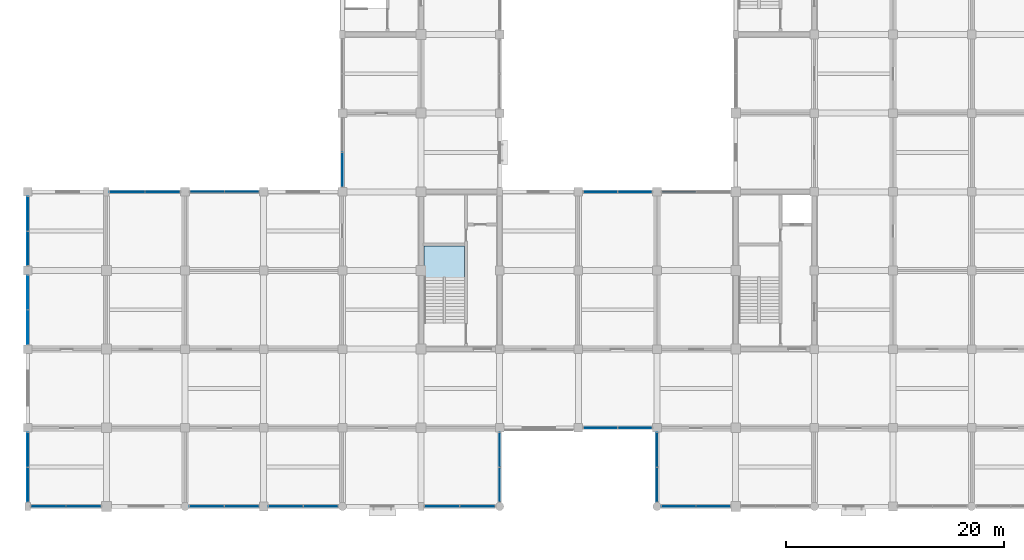
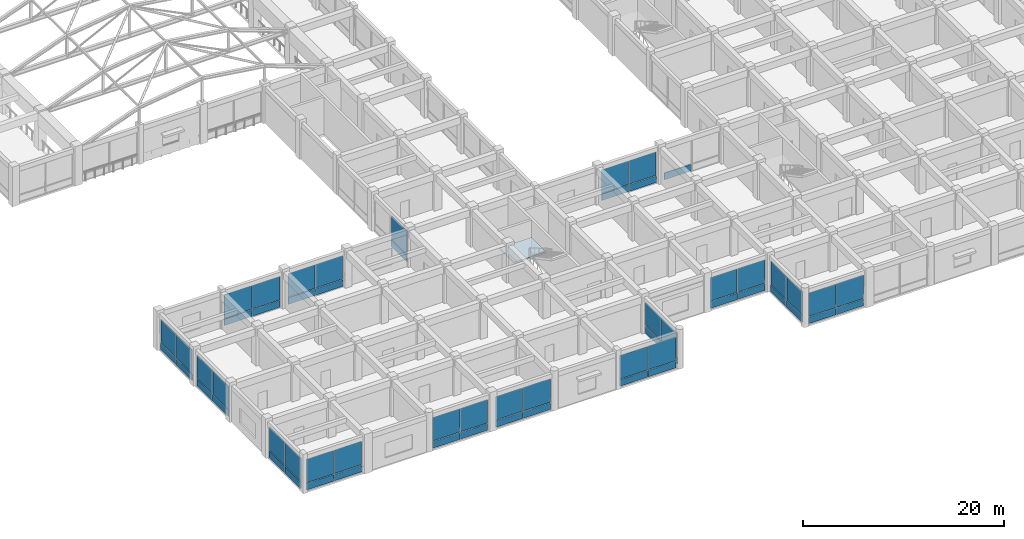
# One storey, part 47 of 75: 59 plates, 1 slab, 17 elements without a shape of their own.
"""IFC4 building model written with IfcOpenShell, lengths in metres."""

from ifc_helpers import new_model, si_unit, direction, frame, origin, origin_2d, place, context, subcontext, project, spatial, polyline, rectangle, outline, extrude, material, layer, layer_set, type_object, element, aggregate, save


model = new_model("IFC4")

# Units and contexts
model_context = context("Model", 3, precision=1e-05, world=origin(), true_north=direction((0.0, 1.0)))
body_context = subcontext(model_context, "Body", "Model", "MODEL_VIEW")
ifc_project = project(units=[si_unit("LENGTHUNIT", "METRE"), si_unit("AREAUNIT", "SQUARE_METRE"), si_unit("VOLUMEUNIT", "CUBIC_METRE"), si_unit("PLANEANGLEUNIT", "RADIAN"), si_unit("MASSUNIT", "GRAM", prefix="KILO")], contexts=[model_context])

# Site, building, storey
site_placement = place(None, origin())
site = spatial("IfcSite", under=ifc_project, at=site_placement, CompositionType="ELEMENT")
building_placement = place(site_placement, origin())
building = spatial("IfcBuilding", under=site, at=building_placement, Name="Cendaluz Park School", CompositionType="ELEMENT")
storey_placement = place(building_placement, frame((0.0, 0.0, 4.800048828125)))
storey = spatial("IfcBuildingStorey", under=building, at=storey_placement, Name="L01", CompositionType="ELEMENT", Elevation=4.800048828125)

# Curtain wall, plates
ifc_material_1 = material(Name="Anodised Aluminium 6063-T6", Category="aluminium")
ifc_layer_1 = layer(ifc_material_1, 0.179931640625)
ifc_layer_set_1 = layer_set([ifc_layer_1], Name="Anodised Aluminium 6063-T6")
curtain_wall_type_1 = type_object("IfcCurtainWallType", Name="CW-128x77", PredefinedType="NOTDEFINED", material=ifc_layer_set_1)
curtain_wall_1_placement = place(storey_placement, origin())
curtain_wall_1 = element("IfcCurtainWall", 1, at=curtain_wall_1_placement, inside=storey, type_object=curtain_wall_type_1, Name="CW-L01-015", PredefinedType="NOTDEFINED")
ifc_material_2 = material(Name="Tempered Low-E Double Glazing", Category="glass")
ifc_layer_2 = layer(ifc_material_2, 0.028076171875)
ifc_layer_set_2 = layer_set([ifc_layer_2], Name="Tempered Low-E Double Glazing")
plate_type_1 = type_object("IfcPlateType", Name="CWP-G01", PredefinedType="CURTAIN_PANEL", material=ifc_layer_set_2)
plate_1_placement = place(storey_placement, frame((16.398681640625, 0.0, 0.93505859375), z_axis=(0.0, 0.0, 1.0), x_axis=(1.0, 0.0, 0.0)))
plate_1 = element("IfcPlate", 2, at=plate_1_placement, type_object=plate_type_1, Name="CP-L01-0190", PredefinedType="CURTAIN_PANEL", context=body_context, shape_type="SweptSolid", body=[
    extrude(rectangle(XDim=3.107421875, YDim=0.028076171875, at=origin_2d()), origin(), (0.0, 0.0, 1.0), 2.844970703125),
])
plate_2_placement = place(storey_placement, frame((19.576171875, 0.0, 0.93505859375), z_axis=(0.0, 0.0, 1.0), x_axis=(1.0, 0.0, 0.0)))
plate_2 = element("IfcPlate", 3, at=plate_2_placement, type_object=plate_type_1, Name="CP-L01-0195", PredefinedType="CURTAIN_PANEL", context=body_context, shape_type="SweptSolid", body=[
    extrude(rectangle(XDim=3.107421875, YDim=0.028076171875, at=origin_2d()), origin(), (0.0, 0.0, 1.0), 2.844970703125),
])

curtain_wall_2_placement = place(storey_placement, origin())
curtain_wall_2 = element("IfcCurtainWall", 4, at=curtain_wall_2_placement, inside=storey, type_object=curtain_wall_type_1, Name="CW-L01-016", PredefinedType="NOTDEFINED")
plate_3_placement = place(storey_placement, frame((16.41748046875, 28.800048828125, 0.93505859375), z_axis=(0.0, 0.0, 1.0), x_axis=(1.0, 0.0, 0.0)))
plate_3 = element("IfcPlate", 5, at=plate_3_placement, type_object=plate_type_1, Name="CP-L01-0203", PredefinedType="CURTAIN_PANEL", context=body_context, shape_type="SweptSolid", body=[
    extrude(rectangle(XDim=3.094970703125, YDim=0.028076171875, at=origin_2d()), origin(), (0.0, 0.0, 1.0), 2.844970703125),
])
plate_4_placement = place(storey_placement, frame((19.58251953125, 28.800048828125, 0.93505859375), z_axis=(0.0, 0.0, 1.0), x_axis=(1.0, 0.0, 0.0)))
plate_4 = element("IfcPlate", 6, at=plate_4_placement, type_object=plate_type_1, Name="CP-L01-0208", PredefinedType="CURTAIN_PANEL", context=body_context, shape_type="SweptSolid", body=[
    extrude(rectangle(XDim=3.094970703125, YDim=0.028076171875, at=origin_2d()), origin(), (0.0, 0.0, 1.0), 2.844970703125),
])

curtain_wall_3_placement = place(storey_placement, origin())
curtain_wall_3 = element("IfcCurtainWall", 7, at=curtain_wall_3_placement, inside=storey, type_object=curtain_wall_type_1, Name="CW-L01-024", PredefinedType="NOTDEFINED")
plate_5_placement = place(storey_placement, frame((43.199951171875, 1.998779296875, 0.93505859375), z_axis=(0.0, 0.0, 1.0), x_axis=(0.0, 1.0, 0.0)))
plate_5 = element("IfcPlate", 8, at=plate_5_placement, type_object=plate_type_1, Name="CP-L01-0307", PredefinedType="CURTAIN_PANEL", context=body_context, shape_type="SweptSolid", body=[
    extrude(rectangle(XDim=3.107421875, YDim=0.028076171875, at=origin_2d()), origin(), (0.0, 0.0, 1.0), 2.844970703125),
])
plate_6_placement = place(storey_placement, frame((43.199951171875, 5.17626953125, 0.93505859375), z_axis=(0.0, 0.0, 1.0), x_axis=(0.0, 1.0, 0.0)))
plate_6 = element("IfcPlate", 9, at=plate_6_placement, type_object=plate_type_1, Name="CP-L01-0312", PredefinedType="CURTAIN_PANEL", context=body_context, shape_type="SweptSolid", body=[
    extrude(rectangle(XDim=3.107421875, YDim=0.028076171875, at=origin_2d()), origin(), (0.0, 0.0, 1.0), 2.844970703125),
])

curtain_wall_4_placement = place(storey_placement, origin())
curtain_wall_4 = element("IfcCurtainWall", 10, at=curtain_wall_4_placement, inside=storey, type_object=curtain_wall_type_1, Name="CW-L01-018", PredefinedType="NOTDEFINED")
ifc_layer_3 = layer(ifc_material_2, 0.0380859375)
ifc_layer_set_3 = layer_set([ifc_layer_3], Name="Tempered Low-E Double Glazing")
plate_type_2 = type_object("IfcPlateType", Name="CWP-G02", PredefinedType="CURTAIN_PANEL", material=ifc_layer_set_3)
plate_7_placement = place(storey_placement, frame((23.623779296875, 0.0, 0.93505859375), z_axis=(0.0, 0.0, 1.0), x_axis=(1.0, 0.0, 0.0)))
plate_7 = element("IfcPlate", 11, at=plate_7_placement, type_object=plate_type_2, Name="CP-L01-0229", PredefinedType="CURTAIN_PANEL", context=body_context, shape_type="SweptSolid", body=[
    extrude(rectangle(XDim=3.107421875, YDim=0.0380859375, at=origin_2d()), origin(), (0.0, 0.0, 1.0), 2.844970703125),
])
plate_8_placement = place(storey_placement, frame((26.80126953125, 0.0, 0.93505859375), z_axis=(0.0, 0.0, 1.0), x_axis=(1.0, 0.0, 0.0)))
plate_8 = element("IfcPlate", 12, at=plate_8_placement, type_object=plate_type_2, Name="CP-L01-0234", PredefinedType="CURTAIN_PANEL", context=body_context, shape_type="SweptSolid", body=[
    extrude(rectangle(XDim=3.107421875, YDim=0.0380859375, at=origin_2d()), origin(), (0.0, 0.0, 1.0), 2.844970703125),
])

curtain_wall_5_placement = place(storey_placement, origin())
curtain_wall_5 = element("IfcCurtainWall", 13, at=curtain_wall_5_placement, inside=storey, type_object=curtain_wall_type_1, Name="CW-L01-034", PredefinedType="NOTDEFINED")
plate_9_placement = place(storey_placement, frame((52.41748046875, 7.199951171875, 0.93505859375), z_axis=(0.0, 0.0, 1.0), x_axis=(1.0, 0.0, 0.0)))
plate_9 = element("IfcPlate", 14, at=plate_9_placement, type_object=plate_type_2, Name="CP-L01-0437", PredefinedType="CURTAIN_PANEL", context=body_context, shape_type="SweptSolid", body=[
    extrude(rectangle(XDim=3.094970703125, YDim=0.0380859375, at=origin_2d()), origin(), (0.0, 0.0, 1.0), 2.844970703125),
])
plate_10_placement = place(storey_placement, frame((55.58251953125, 7.199951171875, 0.93505859375), z_axis=(0.0, 0.0, 1.0), x_axis=(1.0, 0.0, 0.0)))
plate_10 = element("IfcPlate", 15, at=plate_10_placement, type_object=plate_type_2, Name="CP-L01-0442", PredefinedType="CURTAIN_PANEL", context=body_context, shape_type="SweptSolid", body=[
    extrude(rectangle(XDim=3.094970703125, YDim=0.0380859375, at=origin_2d()), origin(), (0.0, 0.0, 1.0), 2.844970703125),
])

curtain_wall_6_placement = place(storey_placement, origin())
curtain_wall_6 = element("IfcCurtainWall", 16, at=curtain_wall_6_placement, inside=storey, type_object=curtain_wall_type_1, Name="CW-L01-035", PredefinedType="NOTDEFINED")
plate_11_placement = place(storey_placement, frame((52.41748046875, 28.800048828125, 0.93505859375), z_axis=(0.0, 0.0, 1.0), x_axis=(1.0, 0.0, 0.0)))
plate_11 = element("IfcPlate", 17, at=plate_11_placement, type_object=plate_type_2, Name="CP-L01-0450", PredefinedType="CURTAIN_PANEL", context=body_context, shape_type="SweptSolid", body=[
    extrude(rectangle(XDim=3.094970703125, YDim=0.0380859375, at=origin_2d()), origin(), (0.0, 0.0, 1.0), 2.844970703125),
])
plate_12_placement = place(storey_placement, frame((55.58251953125, 28.800048828125, 0.93505859375), z_axis=(0.0, 0.0, 1.0), x_axis=(1.0, 0.0, 0.0)))
plate_12 = element("IfcPlate", 18, at=plate_12_placement, type_object=plate_type_2, Name="CP-L01-0455", PredefinedType="CURTAIN_PANEL", context=body_context, shape_type="SweptSolid", body=[
    extrude(rectangle(XDim=3.094970703125, YDim=0.0380859375, at=origin_2d()), origin(), (0.0, 0.0, 1.0), 2.844970703125),
])

ifc_layer_4 = layer(ifc_material_1, 0.179931640625)
ifc_layer_set_4 = layer_set([ifc_layer_4], Name="Anodised Aluminium 6063-T6")
curtain_wall_type_2 = type_object("IfcCurtainWallType", Name="CW-130x77", PredefinedType="NOTDEFINED", material=ifc_layer_set_4)
curtain_wall_7_placement = place(storey_placement, origin())
curtain_wall_7 = element("IfcCurtainWall", 19, at=curtain_wall_7_placement, inside=storey, type_object=curtain_wall_type_2, Name="CW-L01-001", PredefinedType="NOTDEFINED")
ifc_layer_5 = layer(ifc_material_2, 0.048095703125)
ifc_layer_set_5 = layer_set([ifc_layer_5], Name="Tempered Low-E Double Glazing")
plate_type_3 = type_object("IfcPlateType", Name="CWP-G03", PredefinedType="CURTAIN_PANEL", material=ifc_layer_set_5)
plate_13_placement = place(storey_placement, frame((1.892578125, 0.0, 0.93505859375), z_axis=(0.0, 0.0, 1.0), x_axis=(1.0, 0.0, 0.0)))
plate_13 = element("IfcPlate", 20, at=plate_13_placement, type_object=plate_type_3, Name="CP-L01-0008", PredefinedType="CURTAIN_PANEL", context=body_context, shape_type="SweptSolid", body=[
    extrude(rectangle(XDim=3.14501953125, YDim=0.048095703125, at=origin_2d()), origin(), (0.0, 0.0, 1.0), 2.844970703125),
])
plate_14_placement = place(storey_placement, frame((5.107421875, 0.0, 0.93505859375), z_axis=(0.0, 0.0, 1.0), x_axis=(1.0, 0.0, 0.0)))
plate_14 = element("IfcPlate", 21, at=plate_14_placement, type_object=plate_type_3, Name="CP-L01-0013", PredefinedType="CURTAIN_PANEL", context=body_context, shape_type="SweptSolid", body=[
    extrude(rectangle(XDim=3.14501953125, YDim=0.048095703125, at=origin_2d()), origin(), (0.0, 0.0, 1.0), 2.844970703125),
])

curtain_wall_8_placement = place(storey_placement, origin())
curtain_wall_8 = element("IfcCurtainWall", 22, at=curtain_wall_8_placement, inside=storey, type_object=curtain_wall_type_1, Name="CW-L01-002", PredefinedType="NOTDEFINED")
plate_15_placement = place(storey_placement, frame((0.0, 1.998779296875, 0.93505859375), z_axis=(0.0, 0.0, 1.0), x_axis=(0.0, 1.0, 0.0)))
plate_15 = element("IfcPlate", 23, at=plate_15_placement, type_object=plate_type_3, Name="CP-L01-0021", PredefinedType="CURTAIN_PANEL", context=body_context, shape_type="SweptSolid", body=[
    extrude(rectangle(XDim=3.107421875, YDim=0.048095703125, at=origin_2d()), origin(), (0.0, 0.0, 1.0), 2.844970703125),
])
plate_16_placement = place(storey_placement, frame((0.0, 5.17626953125, 0.93505859375), z_axis=(0.0, 0.0, 1.0), x_axis=(0.0, 1.0, 0.0)))
plate_16 = element("IfcPlate", 24, at=plate_16_placement, type_object=plate_type_3, Name="CP-L01-0026", PredefinedType="CURTAIN_PANEL", context=body_context, shape_type="SweptSolid", body=[
    extrude(rectangle(XDim=3.107421875, YDim=0.048095703125, at=origin_2d()), origin(), (0.0, 0.0, 1.0), 2.844970703125),
])

curtain_wall_9_placement = place(storey_placement, origin())
curtain_wall_9 = element("IfcCurtainWall", 25, at=curtain_wall_9_placement, inside=storey, type_object=curtain_wall_type_1, Name="CW-L01-003", PredefinedType="NOTDEFINED")
plate_17_placement = place(storey_placement, frame((0.0, 16.41748046875, 0.93505859375), z_axis=(0.0, 0.0, 1.0), x_axis=(0.0, 1.0, 0.0)))
plate_17 = element("IfcPlate", 26, at=plate_17_placement, type_object=plate_type_3, Name="CP-L01-0034", PredefinedType="CURTAIN_PANEL", context=body_context, shape_type="SweptSolid", body=[
    extrude(rectangle(XDim=3.094970703125, YDim=0.048095703125, at=origin_2d()), origin(), (0.0, 0.0, 1.0), 2.844970703125),
])
plate_18_placement = place(storey_placement, frame((0.0, 19.58251953125, 0.93505859375), z_axis=(0.0, 0.0, 1.0), x_axis=(0.0, 1.0, 0.0)))
plate_18 = element("IfcPlate", 27, at=plate_18_placement, type_object=plate_type_3, Name="CP-L01-0039", PredefinedType="CURTAIN_PANEL", context=body_context, shape_type="SweptSolid", body=[
    extrude(rectangle(XDim=3.094970703125, YDim=0.048095703125, at=origin_2d()), origin(), (0.0, 0.0, 1.0), 2.844970703125),
])

curtain_wall_10_placement = place(storey_placement, origin())
curtain_wall_10 = element("IfcCurtainWall", 28, at=curtain_wall_10_placement, inside=storey, type_object=curtain_wall_type_1, Name="CW-L01-004", PredefinedType="NOTDEFINED")
plate_19_placement = place(storey_placement, frame((0.0, 23.617431640625, 0.93505859375), z_axis=(0.0, 0.0, 1.0), x_axis=(0.0, 1.0, 0.0)))
plate_19 = element("IfcPlate", 29, at=plate_19_placement, type_object=plate_type_3, Name="CP-L01-0047", PredefinedType="CURTAIN_PANEL", context=body_context, shape_type="SweptSolid", body=[
    extrude(rectangle(XDim=3.094970703125, YDim=0.048095703125, at=origin_2d()), origin(), (0.0, 0.0, 1.0), 2.844970703125),
])
plate_20_placement = place(storey_placement, frame((0.0, 26.782470703125, 0.93505859375), z_axis=(0.0, 0.0, 1.0), x_axis=(0.0, 1.0, 0.0)))
plate_20 = element("IfcPlate", 30, at=plate_20_placement, type_object=plate_type_3, Name="CP-L01-0052", PredefinedType="CURTAIN_PANEL", context=body_context, shape_type="SweptSolid", body=[
    extrude(rectangle(XDim=3.094970703125, YDim=0.048095703125, at=origin_2d()), origin(), (0.0, 0.0, 1.0), 2.844970703125),
])

# Curtain wall, plate
curtain_wall_11_placement = place(storey_placement, origin())
curtain_wall_11 = element("IfcCurtainWall", 31, at=curtain_wall_11_placement, inside=storey, type_object=curtain_wall_type_1, Name="CW-L01-020", PredefinedType="NOTDEFINED")
plate_21_placement = place(storey_placement, frame((28.800048828125, 30.8173828125, 0.93505859375), z_axis=(0.0, 0.0, 1.0), x_axis=(0.0, 1.0, 0.0)))
plate_21 = element("IfcPlate", 32, at=plate_21_placement, type_object=plate_type_3, Name="CP-L01-0255", PredefinedType="CURTAIN_PANEL", context=body_context, shape_type="SweptSolid", body=[
    extrude(rectangle(XDim=3.094970703125, YDim=0.048095703125, at=origin_2d()), origin(), (0.0, 0.0, 1.0), 2.844970703125),
])

# Curtain wall, plates
curtain_wall_12_placement = place(storey_placement, origin())
curtain_wall_12 = element("IfcCurtainWall", 33, at=curtain_wall_12_placement, inside=storey, type_object=curtain_wall_type_1, Name="CW-L01-036", PredefinedType="NOTDEFINED")
plate_22_placement = place(storey_placement, frame((59.586181640625, 0.0, 0.93505859375), z_axis=(0.0, 0.0, 1.0), x_axis=(1.0, 0.0, 0.0)))
plate_22 = element("IfcPlate", 34, at=plate_22_placement, type_object=plate_type_3, Name="CP-L01-0463", PredefinedType="CURTAIN_PANEL", context=body_context, shape_type="SweptSolid", body=[
    extrude(rectangle(XDim=3.08251953125, YDim=0.048095703125, at=origin_2d()), origin(), (0.0, 0.0, 1.0), 2.844970703125),
])
plate_23_placement = place(storey_placement, frame((62.73876953125, 0.0, 0.93505859375), z_axis=(0.0, 0.0, 1.0), x_axis=(1.0, 0.0, 0.0)))
plate_23 = element("IfcPlate", 35, at=plate_23_placement, type_object=plate_type_3, Name="CP-L01-0468", PredefinedType="CURTAIN_PANEL", context=body_context, shape_type="SweptSolid", body=[
    extrude(rectangle(XDim=3.08251953125, YDim=0.048095703125, at=origin_2d()), origin(), (0.0, 0.0, 1.0), 2.844970703125),
])

curtain_wall_13_placement = place(storey_placement, origin())
curtain_wall_13 = element("IfcCurtainWall", 36, at=curtain_wall_13_placement, inside=storey, type_object=curtain_wall_type_1, Name="CW-L01-037", PredefinedType="NOTDEFINED")
plate_24_placement = place(storey_placement, frame((57.60009765625, 1.998779296875, 0.93505859375), z_axis=(0.0, 0.0, 1.0), x_axis=(0.0, 1.0, 0.0)))
plate_24 = element("IfcPlate", 37, at=plate_24_placement, type_object=plate_type_3, Name="CP-L01-0476", PredefinedType="CURTAIN_PANEL", context=body_context, shape_type="SweptSolid", body=[
    extrude(rectangle(XDim=3.107421875, YDim=0.048095703125, at=origin_2d()), origin(), (0.0, 0.0, 1.0), 2.844970703125),
])
plate_25_placement = place(storey_placement, frame((57.60009765625, 5.17626953125, 0.93505859375), z_axis=(0.0, 0.0, 1.0), x_axis=(0.0, 1.0, 0.0)))
plate_25 = element("IfcPlate", 38, at=plate_25_placement, type_object=plate_type_3, Name="CP-L01-0481", PredefinedType="CURTAIN_PANEL", context=body_context, shape_type="SweptSolid", body=[
    extrude(rectangle(XDim=3.107421875, YDim=0.048095703125, at=origin_2d()), origin(), (0.0, 0.0, 1.0), 2.844970703125),
])

ifc_layer_6 = layer(ifc_material_1, 0.179931640625)
ifc_layer_set_6 = layer_set([ifc_layer_6], Name="Anodised Aluminium 6063-T6")
curtain_wall_type_3 = type_object("IfcCurtainWallType", Name="CW-131x77", PredefinedType="NOTDEFINED", material=ifc_layer_set_6)
curtain_wall_14_placement = place(storey_placement, origin())
curtain_wall_14 = element("IfcCurtainWall", 39, at=curtain_wall_14_placement, inside=storey, type_object=curtain_wall_type_3, Name="CW-L01-012", PredefinedType="NOTDEFINED")
ifc_layer_7 = layer(ifc_material_2, 0.05810546875)
ifc_layer_set_7 = layer_set([ifc_layer_7], Name="Tempered Low-E Double Glazing")
plate_type_4 = type_object("IfcPlateType", Name="CWP-G04", PredefinedType="CURTAIN_PANEL", material=ifc_layer_set_7)
plate_26_placement = place(storey_placement, frame((9.10498046875, 28.800048828125, 0.93505859375), z_axis=(0.0, 0.0, 1.0), x_axis=(1.0, 0.0, 0.0)))
plate_26 = element("IfcPlate", 40, at=plate_26_placement, type_object=plate_type_4, Name="CP-L01-0151", PredefinedType="CURTAIN_PANEL", context=body_context, shape_type="SweptSolid", body=[
    extrude(rectangle(XDim=3.169921875, YDim=0.05810546875, at=origin_2d()), origin(), (0.0, 0.0, 1.0), 2.844970703125),
])
plate_27_placement = place(storey_placement, frame((12.344970703125, 28.800048828125, 0.93505859375), z_axis=(0.0, 0.0, 1.0), x_axis=(1.0, 0.0, 0.0)))
plate_27 = element("IfcPlate", 41, at=plate_27_placement, type_object=plate_type_4, Name="CP-L01-0156", PredefinedType="CURTAIN_PANEL", context=body_context, shape_type="SweptSolid", body=[
    extrude(rectangle(XDim=3.169921875, YDim=0.05810546875, at=origin_2d()), origin(), (0.0, 0.0, 1.0), 2.844970703125),
])

ifc_layer_8 = layer(ifc_material_1, 0.179931640625)
ifc_layer_set_8 = layer_set([ifc_layer_8], Name="Anodised Aluminium 6063-T6")
curtain_wall_type_4 = type_object("IfcCurtainWallType", Name="CW-132x77", PredefinedType="NOTDEFINED", material=ifc_layer_set_8)
curtain_wall_15_placement = place(storey_placement, origin())
curtain_wall_15 = element("IfcCurtainWall", 42, at=curtain_wall_15_placement, inside=storey, type_object=curtain_wall_type_4, Name="CW-L01-023", PredefinedType="NOTDEFINED")
plate_28_placement = place(storey_placement, frame((37.9111328125, 0.0, 0.93505859375), z_axis=(0.0, 0.0, 1.0), x_axis=(1.0, 0.0, 0.0)))
plate_28 = element("IfcPlate", 43, at=plate_28_placement, type_object=plate_type_4, Name="CP-L01-0294", PredefinedType="CURTAIN_PANEL", context=body_context, shape_type="SweptSolid", body=[
    extrude(rectangle(XDim=3.1826171875, YDim=0.05810546875, at=origin_2d()), origin(), (0.0, 0.0, 1.0), 2.844970703125),
])
plate_29_placement = place(storey_placement, frame((41.163818359375, 0.0, 0.93505859375), z_axis=(0.0, 0.0, 1.0), x_axis=(1.0, 0.0, 0.0)))
plate_29 = element("IfcPlate", 44, at=plate_29_placement, type_object=plate_type_4, Name="CP-L01-0299", PredefinedType="CURTAIN_PANEL", context=body_context, shape_type="SweptSolid", body=[
    extrude(rectangle(XDim=3.1826171875, YDim=0.05810546875, at=origin_2d()), origin(), (0.0, 0.0, 1.0), 2.844970703125),
])

# Plate
ifc_layer_9 = layer(ifc_material_1, 0.080078125)
ifc_layer_set_9 = layer_set([ifc_layer_9], Name="Anodised Aluminium 6063-T6")
plate_type_5 = type_object("IfcPlateType", Name="CWP-S01", PredefinedType="CURTAIN_PANEL", material=ifc_layer_set_9)
plate_30_placement = place(storey_placement, frame((0.0, 16.41748046875, 0.070068359375), z_axis=(0.0, 0.0, 1.0), x_axis=(0.0, 1.0, 0.0)))
plate_30 = element("IfcPlate", 45, at=plate_30_placement, type_object=plate_type_5, Name="CP-L01-0033", PredefinedType="CURTAIN_PANEL", context=body_context, shape_type="SweptSolid", body=[
    extrude(rectangle(XDim=3.094970703125, YDim=0.080078125, at=origin_2d()), origin(), (0.0, 0.0, 1.0), 0.794921875),
])

plate_31_placement = place(storey_placement, frame((0.0, 19.58251953125, 0.070068359375), z_axis=(0.0, 0.0, 1.0), x_axis=(0.0, 1.0, 0.0)))
plate_31 = element("IfcPlate", 46, at=plate_31_placement, type_object=plate_type_5, Name="CP-L01-0038", PredefinedType="CURTAIN_PANEL", context=body_context, shape_type="SweptSolid", body=[
    extrude(rectangle(XDim=3.094970703125, YDim=0.080078125, at=origin_2d()), origin(), (0.0, 0.0, 1.0), 0.794921875),
])

aggregate(curtain_wall_9, [plate_30, plate_17, plate_31, plate_18])

ifc_layer_10 = layer(ifc_material_1, 0.094970703125)
ifc_layer_set_10 = layer_set([ifc_layer_10], Name="Anodised Aluminium 6063-T6")
plate_type_6 = type_object("IfcPlateType", Name="CWP-S02", PredefinedType="CURTAIN_PANEL", material=ifc_layer_set_10)
plate_32_placement = place(storey_placement, frame((0.0, 23.617431640625, 0.070068359375), z_axis=(0.0, 0.0, 1.0), x_axis=(0.0, 1.0, 0.0)))
plate_32 = element("IfcPlate", 47, at=plate_32_placement, type_object=plate_type_6, Name="CP-L01-0046", PredefinedType="CURTAIN_PANEL", context=body_context, shape_type="SweptSolid", body=[
    extrude(rectangle(XDim=3.094970703125, YDim=0.094970703125, at=origin_2d()), origin(), (0.0, 0.0, 1.0), 0.794921875),
])

plate_33_placement = place(storey_placement, frame((0.0, 26.782470703125, 0.070068359375), z_axis=(0.0, 0.0, 1.0), x_axis=(0.0, 1.0, 0.0)))
plate_33 = element("IfcPlate", 48, at=plate_33_placement, type_object=plate_type_6, Name="CP-L01-0051", PredefinedType="CURTAIN_PANEL", context=body_context, shape_type="SweptSolid", body=[
    extrude(rectangle(XDim=3.094970703125, YDim=0.094970703125, at=origin_2d()), origin(), (0.0, 0.0, 1.0), 0.794921875),
])

aggregate(curtain_wall_10, [plate_32, plate_19, plate_33, plate_20])

ifc_layer_11 = layer(ifc_material_1, 0.110107421875)
ifc_layer_set_11 = layer_set([ifc_layer_11], Name="Anodised Aluminium 6063-T6")
plate_type_7 = type_object("IfcPlateType", Name="CWP-S03", PredefinedType="CURTAIN_PANEL", material=ifc_layer_set_11)
plate_34_placement = place(storey_placement, frame((1.892578125, 0.0, 0.070068359375), z_axis=(0.0, 0.0, 1.0), x_axis=(1.0, 0.0, 0.0)))
plate_34 = element("IfcPlate", 49, at=plate_34_placement, type_object=plate_type_7, Name="CP-L01-0007", PredefinedType="CURTAIN_PANEL", context=body_context, shape_type="SweptSolid", body=[
    extrude(rectangle(XDim=3.14501953125, YDim=0.110107421875, at=origin_2d()), origin(), (0.0, 0.0, 1.0), 0.794921875),
])

plate_35_placement = place(storey_placement, frame((5.107421875, 0.0, 0.070068359375), z_axis=(0.0, 0.0, 1.0), x_axis=(1.0, 0.0, 0.0)))
plate_35 = element("IfcPlate", 50, at=plate_35_placement, type_object=plate_type_7, Name="CP-L01-0012", PredefinedType="CURTAIN_PANEL", context=body_context, shape_type="SweptSolid", body=[
    extrude(rectangle(XDim=3.14501953125, YDim=0.110107421875, at=origin_2d()), origin(), (0.0, 0.0, 1.0), 0.794921875),
])

aggregate(curtain_wall_7, [plate_34, plate_13, plate_35, plate_14])

plate_36_placement = place(storey_placement, frame((0.0, 1.998779296875, 0.070068359375), z_axis=(0.0, 0.0, 1.0), x_axis=(0.0, 1.0, 0.0)))
plate_36 = element("IfcPlate", 51, at=plate_36_placement, type_object=plate_type_7, Name="CP-L01-0020", PredefinedType="CURTAIN_PANEL", context=body_context, shape_type="SweptSolid", body=[
    extrude(rectangle(XDim=3.107421875, YDim=0.110107421875, at=origin_2d()), origin(), (0.0, 0.0, 1.0), 0.794921875),
])

plate_37_placement = place(storey_placement, frame((0.0, 5.17626953125, 0.070068359375), z_axis=(0.0, 0.0, 1.0), x_axis=(0.0, 1.0, 0.0)))
plate_37 = element("IfcPlate", 52, at=plate_37_placement, type_object=plate_type_7, Name="CP-L01-0025", PredefinedType="CURTAIN_PANEL", context=body_context, shape_type="SweptSolid", body=[
    extrude(rectangle(XDim=3.107421875, YDim=0.110107421875, at=origin_2d()), origin(), (0.0, 0.0, 1.0), 0.794921875),
])

aggregate(curtain_wall_8, [plate_36, plate_15, plate_37, plate_16])

plate_38_placement = place(storey_placement, frame((9.10498046875, 28.800048828125, 0.070068359375), z_axis=(0.0, 0.0, 1.0), x_axis=(1.0, 0.0, 0.0)))
plate_38 = element("IfcPlate", 53, at=plate_38_placement, type_object=plate_type_7, Name="CP-L01-0150", PredefinedType="CURTAIN_PANEL", context=body_context, shape_type="SweptSolid", body=[
    extrude(rectangle(XDim=3.169921875, YDim=0.110107421875, at=origin_2d()), origin(), (0.0, 0.0, 1.0), 0.794921875),
])

plate_39_placement = place(storey_placement, frame((12.344970703125, 28.800048828125, 0.070068359375), z_axis=(0.0, 0.0, 1.0), x_axis=(1.0, 0.0, 0.0)))
plate_39 = element("IfcPlate", 54, at=plate_39_placement, type_object=plate_type_7, Name="CP-L01-0155", PredefinedType="CURTAIN_PANEL", context=body_context, shape_type="SweptSolid", body=[
    extrude(rectangle(XDim=3.169921875, YDim=0.110107421875, at=origin_2d()), origin(), (0.0, 0.0, 1.0), 0.794921875),
])

aggregate(curtain_wall_14, [plate_38, plate_26, plate_39, plate_27])

plate_40_placement = place(storey_placement, frame((16.398681640625, 0.0, 0.070068359375), z_axis=(0.0, 0.0, 1.0), x_axis=(1.0, 0.0, 0.0)))
plate_40 = element("IfcPlate", 55, at=plate_40_placement, type_object=plate_type_7, Name="CP-L01-0189", PredefinedType="CURTAIN_PANEL", context=body_context, shape_type="SweptSolid", body=[
    extrude(rectangle(XDim=3.107421875, YDim=0.110107421875, at=origin_2d()), origin(), (0.0, 0.0, 1.0), 0.794921875),
])

plate_41_placement = place(storey_placement, frame((19.576171875, 0.0, 0.070068359375), z_axis=(0.0, 0.0, 1.0), x_axis=(1.0, 0.0, 0.0)))
plate_41 = element("IfcPlate", 56, at=plate_41_placement, type_object=plate_type_7, Name="CP-L01-0194", PredefinedType="CURTAIN_PANEL", context=body_context, shape_type="SweptSolid", body=[
    extrude(rectangle(XDim=3.107421875, YDim=0.110107421875, at=origin_2d()), origin(), (0.0, 0.0, 1.0), 0.794921875),
])

aggregate(curtain_wall_1, [plate_40, plate_1, plate_41, plate_2])

plate_42_placement = place(storey_placement, frame((16.41748046875, 28.800048828125, 0.070068359375), z_axis=(0.0, 0.0, 1.0), x_axis=(1.0, 0.0, 0.0)))
plate_42 = element("IfcPlate", 57, at=plate_42_placement, type_object=plate_type_7, Name="CP-L01-0202", PredefinedType="CURTAIN_PANEL", context=body_context, shape_type="SweptSolid", body=[
    extrude(rectangle(XDim=3.094970703125, YDim=0.110107421875, at=origin_2d()), origin(), (0.0, 0.0, 1.0), 0.794921875),
])

plate_43_placement = place(storey_placement, frame((19.58251953125, 28.800048828125, 0.070068359375), z_axis=(0.0, 0.0, 1.0), x_axis=(1.0, 0.0, 0.0)))
plate_43 = element("IfcPlate", 58, at=plate_43_placement, type_object=plate_type_7, Name="CP-L01-0207", PredefinedType="CURTAIN_PANEL", context=body_context, shape_type="SweptSolid", body=[
    extrude(rectangle(XDim=3.094970703125, YDim=0.110107421875, at=origin_2d()), origin(), (0.0, 0.0, 1.0), 0.794921875),
])

aggregate(curtain_wall_2, [plate_42, plate_3, plate_43, plate_4])

plate_44_placement = place(storey_placement, frame((23.623779296875, 0.0, 0.070068359375), z_axis=(0.0, 0.0, 1.0), x_axis=(1.0, 0.0, 0.0)))
plate_44 = element("IfcPlate", 59, at=plate_44_placement, type_object=plate_type_7, Name="CP-L01-0228", PredefinedType="CURTAIN_PANEL", context=body_context, shape_type="SweptSolid", body=[
    extrude(rectangle(XDim=3.107421875, YDim=0.110107421875, at=origin_2d()), origin(), (0.0, 0.0, 1.0), 0.794921875),
])

plate_45_placement = place(storey_placement, frame((26.80126953125, 0.0, 0.070068359375), z_axis=(0.0, 0.0, 1.0), x_axis=(1.0, 0.0, 0.0)))
plate_45 = element("IfcPlate", 60, at=plate_45_placement, type_object=plate_type_7, Name="CP-L01-0233", PredefinedType="CURTAIN_PANEL", context=body_context, shape_type="SweptSolid", body=[
    extrude(rectangle(XDim=3.107421875, YDim=0.110107421875, at=origin_2d()), origin(), (0.0, 0.0, 1.0), 0.794921875),
])

aggregate(curtain_wall_4, [plate_44, plate_7, plate_45, plate_8])

plate_46_placement = place(storey_placement, frame((28.800048828125, 30.8173828125, 0.070068359375), z_axis=(0.0, 0.0, 1.0), x_axis=(0.0, 1.0, 0.0)))
plate_46 = element("IfcPlate", 61, at=plate_46_placement, type_object=plate_type_7, Name="CP-L01-0254", PredefinedType="CURTAIN_PANEL", context=body_context, shape_type="SweptSolid", body=[
    extrude(rectangle(XDim=3.094970703125, YDim=0.110107421875, at=origin_2d()), origin(), (0.0, 0.0, 1.0), 0.794921875),
])

aggregate(curtain_wall_11, [plate_46, plate_21])

plate_47_placement = place(storey_placement, frame((37.9111328125, 0.0, 0.070068359375), z_axis=(0.0, 0.0, 1.0), x_axis=(1.0, 0.0, 0.0)))
plate_47 = element("IfcPlate", 62, at=plate_47_placement, type_object=plate_type_7, Name="CP-L01-0293", PredefinedType="CURTAIN_PANEL", context=body_context, shape_type="SweptSolid", body=[
    extrude(rectangle(XDim=3.1826171875, YDim=0.110107421875, at=origin_2d()), origin(), (0.0, 0.0, 1.0), 0.794921875),
])

plate_48_placement = place(storey_placement, frame((41.163818359375, 0.0, 0.070068359375), z_axis=(0.0, 0.0, 1.0), x_axis=(1.0, 0.0, 0.0)))
plate_48 = element("IfcPlate", 63, at=plate_48_placement, type_object=plate_type_7, Name="CP-L01-0298", PredefinedType="CURTAIN_PANEL", context=body_context, shape_type="SweptSolid", body=[
    extrude(rectangle(XDim=3.1826171875, YDim=0.110107421875, at=origin_2d()), origin(), (0.0, 0.0, 1.0), 0.794921875),
])

aggregate(curtain_wall_15, [plate_47, plate_28, plate_48, plate_29])

plate_49_placement = place(storey_placement, frame((43.199951171875, 1.998779296875, 0.070068359375), z_axis=(0.0, 0.0, 1.0), x_axis=(0.0, 1.0, 0.0)))
plate_49 = element("IfcPlate", 64, at=plate_49_placement, type_object=plate_type_7, Name="CP-L01-0306", PredefinedType="CURTAIN_PANEL", context=body_context, shape_type="SweptSolid", body=[
    extrude(rectangle(XDim=3.107421875, YDim=0.110107421875, at=origin_2d()), origin(), (0.0, 0.0, 1.0), 0.794921875),
])

plate_50_placement = place(storey_placement, frame((43.199951171875, 5.17626953125, 0.070068359375), z_axis=(0.0, 0.0, 1.0), x_axis=(0.0, 1.0, 0.0)))
plate_50 = element("IfcPlate", 65, at=plate_50_placement, type_object=plate_type_7, Name="CP-L01-0311", PredefinedType="CURTAIN_PANEL", context=body_context, shape_type="SweptSolid", body=[
    extrude(rectangle(XDim=3.107421875, YDim=0.110107421875, at=origin_2d()), origin(), (0.0, 0.0, 1.0), 0.794921875),
])

aggregate(curtain_wall_3, [plate_49, plate_5, plate_50, plate_6])

plate_51_placement = place(storey_placement, frame((52.41748046875, 28.800048828125, 0.070068359375), z_axis=(0.0, 0.0, 1.0), x_axis=(1.0, 0.0, 0.0)))
plate_51 = element("IfcPlate", 66, at=plate_51_placement, type_object=plate_type_7, Name="CP-L01-0449", PredefinedType="CURTAIN_PANEL", context=body_context, shape_type="SweptSolid", body=[
    extrude(rectangle(XDim=3.094970703125, YDim=0.110107421875, at=origin_2d()), origin(), (0.0, 0.0, 1.0), 0.794921875),
])

plate_52_placement = place(storey_placement, frame((55.58251953125, 28.800048828125, 0.070068359375), z_axis=(0.0, 0.0, 1.0), x_axis=(1.0, 0.0, 0.0)))
plate_52 = element("IfcPlate", 67, at=plate_52_placement, type_object=plate_type_7, Name="CP-L01-0454", PredefinedType="CURTAIN_PANEL", context=body_context, shape_type="SweptSolid", body=[
    extrude(rectangle(XDim=3.094970703125, YDim=0.110107421875, at=origin_2d()), origin(), (0.0, 0.0, 1.0), 0.794921875),
])

aggregate(curtain_wall_6, [plate_51, plate_11, plate_52, plate_12])

plate_53_placement = place(storey_placement, frame((59.586181640625, 0.0, 0.070068359375), z_axis=(0.0, 0.0, 1.0), x_axis=(1.0, 0.0, 0.0)))
plate_53 = element("IfcPlate", 68, at=plate_53_placement, type_object=plate_type_7, Name="CP-L01-0462", PredefinedType="CURTAIN_PANEL", context=body_context, shape_type="SweptSolid", body=[
    extrude(rectangle(XDim=3.08251953125, YDim=0.110107421875, at=origin_2d()), origin(), (0.0, 0.0, 1.0), 0.794921875),
])

plate_54_placement = place(storey_placement, frame((62.73876953125, 0.0, 0.070068359375), z_axis=(0.0, 0.0, 1.0), x_axis=(1.0, 0.0, 0.0)))
plate_54 = element("IfcPlate", 69, at=plate_54_placement, type_object=plate_type_7, Name="CP-L01-0467", PredefinedType="CURTAIN_PANEL", context=body_context, shape_type="SweptSolid", body=[
    extrude(rectangle(XDim=3.08251953125, YDim=0.110107421875, at=origin_2d()), origin(), (0.0, 0.0, 1.0), 0.794921875),
])

aggregate(curtain_wall_12, [plate_53, plate_22, plate_54, plate_23])

plate_55_placement = place(storey_placement, frame((57.60009765625, 1.998779296875, 0.070068359375), z_axis=(0.0, 0.0, 1.0), x_axis=(0.0, 1.0, 0.0)))
plate_55 = element("IfcPlate", 70, at=plate_55_placement, type_object=plate_type_7, Name="CP-L01-0475", PredefinedType="CURTAIN_PANEL", context=body_context, shape_type="SweptSolid", body=[
    extrude(rectangle(XDim=3.107421875, YDim=0.110107421875, at=origin_2d()), origin(), (0.0, 0.0, 1.0), 0.794921875),
])

plate_56_placement = place(storey_placement, frame((57.60009765625, 5.17626953125, 0.070068359375), z_axis=(0.0, 0.0, 1.0), x_axis=(0.0, 1.0, 0.0)))
plate_56 = element("IfcPlate", 71, at=plate_56_placement, type_object=plate_type_7, Name="CP-L01-0480", PredefinedType="CURTAIN_PANEL", context=body_context, shape_type="SweptSolid", body=[
    extrude(rectangle(XDim=3.107421875, YDim=0.110107421875, at=origin_2d()), origin(), (0.0, 0.0, 1.0), 0.794921875),
])

aggregate(curtain_wall_13, [plate_55, plate_24, plate_56, plate_25])

# Curtain wall, plate
ifc_layer_12 = layer(ifc_material_1, 0.179931640625)
ifc_layer_set_12 = layer_set([ifc_layer_12], Name="Anodised Aluminium 6063-T6")
curtain_wall_type_5 = type_object("IfcCurtainWallType", Name="CW-127x77", PredefinedType="NOTDEFINED", material=ifc_layer_set_12)
curtain_wall_16_placement = place(storey_placement, origin())
curtain_wall_16 = element("IfcCurtainWall", 72, at=curtain_wall_16_placement, inside=storey, type_object=curtain_wall_type_5, Name="CW-L01-038", PredefinedType="NOTDEFINED")
plate_57_placement = place(storey_placement, frame((59.60498046875, 28.800048828125, 0.070068359375), z_axis=(0.0, 0.0, 1.0), x_axis=(1.0, 0.0, 0.0)))
plate_57 = element("IfcPlate", 73, at=plate_57_placement, type_object=plate_type_7, Name="CP-L01-0488", PredefinedType="CURTAIN_PANEL", context=body_context, shape_type="SweptSolid", body=[
    extrude(rectangle(XDim=3.070068359375, YDim=0.110107421875, at=origin_2d()), origin(), (0.0, 0.0, 1.0), 0.794921875),
])
aggregate(curtain_wall_16, [plate_57])

# Plate
ifc_layer_13 = layer(ifc_material_1, 0.125)
ifc_layer_set_13 = layer_set([ifc_layer_13], Name="Anodised Aluminium 6063-T6")
plate_type_8 = type_object("IfcPlateType", Name="CWP-S04", PredefinedType="CURTAIN_PANEL", material=ifc_layer_set_13)
plate_58_placement = place(storey_placement, frame((52.41748046875, 7.199951171875, 0.070068359375), z_axis=(0.0, 0.0, 1.0), x_axis=(1.0, 0.0, 0.0)))
plate_58 = element("IfcPlate", 74, at=plate_58_placement, type_object=plate_type_8, Name="CP-L01-0436", PredefinedType="CURTAIN_PANEL", context=body_context, shape_type="SweptSolid", body=[
    extrude(rectangle(XDim=3.094970703125, YDim=0.125, at=origin_2d()), origin(), (0.0, 0.0, 1.0), 0.794921875),
])

plate_59_placement = place(storey_placement, frame((55.58251953125, 7.199951171875, 0.070068359375), z_axis=(0.0, 0.0, 1.0), x_axis=(1.0, 0.0, 0.0)))
plate_59 = element("IfcPlate", 75, at=plate_59_placement, type_object=plate_type_8, Name="CP-L01-0441", PredefinedType="CURTAIN_PANEL", context=body_context, shape_type="SweptSolid", body=[
    extrude(rectangle(XDim=3.094970703125, YDim=0.125, at=origin_2d()), origin(), (0.0, 0.0, 1.0), 0.794921875),
])

aggregate(curtain_wall_5, [plate_58, plate_9, plate_59, plate_10])

# Stair, slab
ifc_material_3 = material(Name="Concrete C40/50", Category="concrete")
stair_type = type_object("IfcStairType", Name="ST-480-180", PredefinedType="HALF_TURN_STAIR", material=ifc_material_3)
stair_placement = place(storey_placement, origin())
stair = element("IfcStair", 76, at=stair_placement, inside=storey, type_object=stair_type, Name="ST-L01-C5", PredefinedType="HALF_TURN_STAIR")
ifc_layer_14 = layer(ifc_material_3, 0.199951171875)
ifc_layer_set_14 = layer_set([ifc_layer_14], Name="Concrete C40/50")
slab_type = type_object("IfcSlabType", Name="SL-LD-200", PredefinedType="LANDING", material=ifc_layer_set_14)
slab_placement = place(storey_placement, frame((0.0, 0.0, 2.199951171875)))
slab = element("IfcSlab", 77, at=slab_placement, type_object=slab_type, Name="SL-LD-L01-C5", PredefinedType="LANDING", context=body_context, shape_type="SweptSolid", body=[
    extrude(outline(polyline([(36.2900390625, 20.9599609375), (39.969970703125, 20.9599609375), (39.969970703125, 23.860107421875), (36.2900390625, 23.860107421875), (36.2900390625, 20.9599609375)])), origin(), (0.0, 0.0, 1.0), 0.199951171875),
])
aggregate(stair, [slab])

save(model, "model.ifc")
